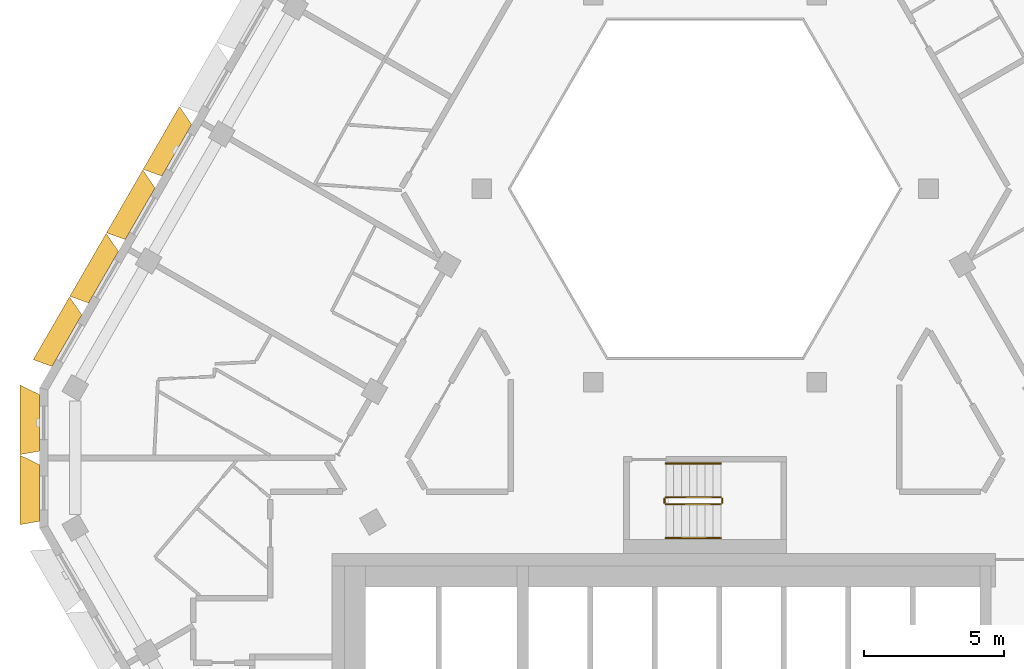
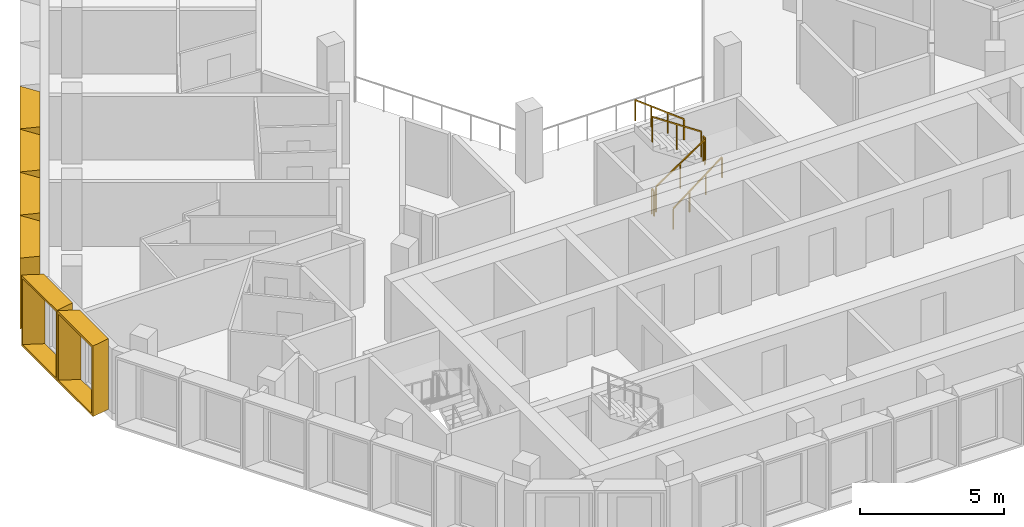
# One storey, part 13 of 16: 6 railings, 6 shading devices.
"""IFC4 building model written with IfcOpenShell, lengths in metres."""

from ifc_helpers import new_model, entity, si_unit, direction, frame, origin, origin_2d, place, context, subcontext, project, spatial, rectangle, extrude, source, transform, mapped, material, type_object, type_shapes, element, save


model = new_model("IFC4")

# Units and contexts
model_context = context("Model", 3, precision=1e-05, world=origin(), true_north=direction((0.0, 1.0)))
body_context = subcontext(model_context, "Body", "Model", "MODEL_VIEW")
ifc_project = project(units=[si_unit("LENGTHUNIT", "METRE"), si_unit("AREAUNIT", "SQUARE_METRE"), si_unit("VOLUMEUNIT", "CUBIC_METRE"), si_unit("PLANEANGLEUNIT", "RADIAN"), si_unit("MASSUNIT", "GRAM", prefix="KILO")], contexts=[model_context])

# Site, building, storey
site_placement = place(None, origin())
site = spatial("IfcSite", under=ifc_project, at=site_placement, CompositionType="ELEMENT")
building_placement = place(site_placement, origin())
building = spatial("IfcBuilding", under=site, at=building_placement, Name="Beryl Residences", CompositionType="ELEMENT")
storey_placement = place(building_placement, frame((0.0, 0.0, 214.800048828125)))
storey = spatial("IfcBuildingStorey", under=building, at=storey_placement, Name="L66", CompositionType="ELEMENT", Elevation=214.800048828125)

# Shading devices
ifc_material_1 = material(Name="Aluminium pale anodised", Category="aluminium")
shading_device_type_1 = type_object("IfcShadingDeviceType", Name="FR250-70B OUTER SKIN frame 700 mm deep, splay 26/10 deg, 2500 x 3000 mm cell", PredefinedType="USERDEFINED", material=ifc_material_1)
cartesian_point_1 = entity("IfcCartesianPoint", [-1.007568359375, 0.0])
cartesian_point_2 = entity("IfcCartesianPoint", [-0.91845703125, 0.10009765625])
cartesian_point_3 = entity("IfcCartesianPoint", [-1.348876953125, 0.0])
cartesian_point_4 = entity("IfcCartesianPoint", [-1.260009765625, 0.10009765625])
shared_shape_1 = source(origin(), body_context, "Body", "SweptSolid", [
    entity("IfcExtrudedAreaSolidTapered", entity("IfcArbitraryProfileDefWithVoids", "AREA", None, entity("IfcPolyline", [cartesian_point_1, entity("IfcCartesianPoint", [1.007568359375, 0.0]), entity("IfcCartesianPoint", [1.007568359375, 3.0]), entity("IfcCartesianPoint", [-1.007568359375, 3.0]), cartesian_point_1]), [entity("IfcPolyline", [cartesian_point_2, entity("IfcCartesianPoint", [0.92626953125, 0.10009765625]), entity("IfcCartesianPoint", [0.92626953125, 2.89990234375]), entity("IfcCartesianPoint", [-0.91845703125, 2.89990234375]), cartesian_point_2])]), entity("IfcAxis2Placement3D", entity("IfcCartesianPoint", [0.0, 0.0, 0.0]), entity("IfcDirection", [0.0, 1.0, 0.0]), entity("IfcDirection", [-1.0, 0.0, 0.0])), entity("IfcDirection", [0.0, 0.0, 1.0]), 0.699951171875, entity("IfcArbitraryProfileDefWithVoids", "AREA", None, entity("IfcPolyline", [cartesian_point_3, entity("IfcCartesianPoint", [1.130859375, 0.0]), entity("IfcCartesianPoint", [1.130859375, 3.0]), entity("IfcCartesianPoint", [-1.348876953125, 3.0]), cartesian_point_3]), [entity("IfcPolyline", [cartesian_point_4, entity("IfcCartesianPoint", [1.0498046875, 0.10009765625]), entity("IfcCartesianPoint", [1.0498046875, 2.89990234375]), entity("IfcCartesianPoint", [-1.260009765625, 2.89990234375]), cartesian_point_4])])),
])
type_shapes(shading_device_type_1, [shared_shape_1])
for number, where, z_axis, x_axis, name in (
    (1, (-23.72900390625, -0.35009765625, 0.0), (0.0, 0.0, 1.0), (0.0, 1.0, 0.0), "FR250-70B frame L66 NW-SW 1"),
    (2, (-23.72900390625, -2.85009765625, 0.0), (0.0, 0.0, 1.0), (0.0, 1.0, 0.0), "FR250-70B frame L66 NW-SW 2"),
):
    element("IfcShadingDevice", number, at=place(storey_placement, frame(where, z_axis=z_axis, x_axis=x_axis)), inside=storey, type_object=shading_device_type_1, Name=name, ObjectType="OUTER SKIN", PredefinedType="USERDEFINED", context=body_context, shape_type="MappedRepresentation", body=[
        mapped(shared_shape_1, transform((0.0, 0.0, 0.0))),
    ])
ifc_material_2 = material(Name="Aluminium pale anodised", Category="aluminium")
shading_device_type_2 = type_object("IfcShadingDeviceType", Name="FR261-70B OUTER SKIN frame 700 mm deep, splay 26/10 deg, 2610 x 3000 mm cell", PredefinedType="USERDEFINED", material=ifc_material_2)
cartesian_point_5 = entity("IfcCartesianPoint", [-1.0625, 0.0])
cartesian_point_6 = entity("IfcCartesianPoint", [-0.973388671875, 0.10009765625])
cartesian_point_7 = entity("IfcCartesianPoint", [-1.40380859375, 0.0])
cartesian_point_8 = entity("IfcCartesianPoint", [-1.31494140625, 0.10009765625])
shared_shape_2 = source(origin(), body_context, "Body", "SweptSolid", [
    entity("IfcExtrudedAreaSolidTapered", entity("IfcArbitraryProfileDefWithVoids", "AREA", None, entity("IfcPolyline", [cartesian_point_5, entity("IfcCartesianPoint", [1.0625, 0.0]), entity("IfcCartesianPoint", [1.0625, 3.0]), entity("IfcCartesianPoint", [-1.0625, 3.0]), cartesian_point_5]), [entity("IfcPolyline", [cartesian_point_6, entity("IfcCartesianPoint", [0.981201171875, 0.10009765625]), entity("IfcCartesianPoint", [0.981201171875, 2.89990234375]), entity("IfcCartesianPoint", [-0.973388671875, 2.89990234375]), cartesian_point_6])]), entity("IfcAxis2Placement3D", entity("IfcCartesianPoint", [0.0, 0.0, 0.0]), entity("IfcDirection", [0.0, 1.0, 0.0]), entity("IfcDirection", [-1.0, 0.0, 0.0])), entity("IfcDirection", [0.0, 0.0, 1.0]), 0.699951171875, entity("IfcArbitraryProfileDefWithVoids", "AREA", None, entity("IfcPolyline", [cartesian_point_7, entity("IfcCartesianPoint", [1.18603515625, 0.0]), entity("IfcCartesianPoint", [1.18603515625, 3.0]), entity("IfcCartesianPoint", [-1.40380859375, 3.0]), cartesian_point_7]), [entity("IfcPolyline", [cartesian_point_8, entity("IfcCartesianPoint", [1.104736328125, 0.10009765625]), entity("IfcCartesianPoint", [1.104736328125, 2.89990234375]), entity("IfcCartesianPoint", [-1.31494140625, 2.89990234375]), cartesian_point_8])])),
])
type_shapes(shading_device_type_2, [shared_shape_2])
for number, where, z_axis, x_axis, name in (
    (3, (-18.839111328125, 9.368896484375, 0.0), (0.0, 0.0, 1.0), (0.5, 0.866025403784, 0.0), "FR261-70B frame L66 NW 5"),
    (4, (-20.14501953125, 7.10595703125, 0.0), (0.0, 0.0, 1.0), (0.5, 0.866025403784, 0.0), "FR261-70B frame L66 NW 6"),
    (5, (-21.450927734375, 4.843994140625, 0.0), (0.0, 0.0, 1.0), (0.5, 0.866025403784, 0.0), "FR261-70B frame L66 NW 7"),
    (6, (-22.758056640625, 2.5810546875, 0.0), (0.0, 0.0, 1.0), (0.5, 0.866025403784, 0.0), "FR261-70B frame L66 NW 8"),
):
    element("IfcShadingDevice", number, at=place(storey_placement, frame(where, z_axis=z_axis, x_axis=x_axis)), inside=storey, type_object=shading_device_type_2, Name=name, ObjectType="OUTER SKIN", PredefinedType="USERDEFINED", context=body_context, shape_type="MappedRepresentation", body=[
        mapped(shared_shape_2, transform((0.0, 0.0, 0.0))),
    ])

# Railings
ifc_material_3 = material(Name="Stainless steel balustrade with glass infill", Category="steel")
railing_type_1 = type_object("IfcRailingType", Name="SG1 stair guard 1100 mm", PredefinedType="GUARDRAIL", material=ifc_material_3)
railing_1_placement = place(storey_placement, frame((-1.39990234375, -3.25, 0.1875)))
element("IfcRailing", 7, at=railing_1_placement, inside=storey, type_object=railing_type_1, Name="L66 ST-4 stair guard 1", PredefinedType="GUARDRAIL", context=body_context, shape_type="SweptSolid", body=[
    extrude(rectangle(XDim=0.048095703125, YDim=0.048095703125, at=origin_2d()), frame((0.0, 0.0, 1.076171875), z_axis=(0.830902050051, 0.0, 0.556418712142), x_axis=(0.0, 1.0, 0.0)), (0.0, 0.0, 1.0), 2.35888671875),
    extrude(rectangle(XDim=0.0419921875, YDim=0.0419921875, at=origin_2d()), origin(), (0.0, 0.0, 1.0), 1.052001953125),
    extrude(rectangle(XDim=0.0419921875, YDim=0.0419921875, at=origin_2d()), frame((0.97998046875, 0.0, 0.65625)), (0.0, 0.0, 1.0), 1.052001953125),
    extrude(rectangle(XDim=0.0419921875, YDim=0.0419921875, at=origin_2d()), frame((1.9599609375, 0.0, 1.3125)), (0.0, 0.0, 1.0), 1.052001953125),
])
railing_2_placement = place(storey_placement, frame((0.610107421875, -3.199951171875, 1.5)))
element("IfcRailing", 8, at=railing_2_placement, inside=storey, type_object=railing_type_1, Name="L66 ST-4 stair guard 2", PredefinedType="GUARDRAIL", context=body_context, shape_type="SweptSolid", body=[
    extrude(rectangle(XDim=0.048095703125, YDim=0.048095703125, at=origin_2d()), frame((0.0, 0.0, 1.076171875), z_axis=(0.0, 1.0, 0.0), x_axis=(-1.0, 0.0, 0.0)), (0.0, 0.0, 1.0), 0.14990234375),
    extrude(rectangle(XDim=0.0419921875, YDim=0.0419921875, at=origin_2d()), origin(), (0.0, 0.0, 1.0), 1.052001953125),
    extrude(rectangle(XDim=0.0419921875, YDim=0.0419921875, at=origin_2d()), frame((0.0, 0.14990234375, 0.0)), (0.0, 0.0, 1.0), 1.052001953125),
])
railing_3_placement = place(storey_placement, frame((0.56005859375, -3.0, 1.6875)))
element("IfcRailing", 9, at=railing_3_placement, inside=storey, type_object=railing_type_1, Name="L66 ST-4 stair guard 3", PredefinedType="GUARDRAIL", context=body_context, shape_type="SweptSolid", body=[
    extrude(rectangle(XDim=0.048095703125, YDim=0.048095703125, at=origin_2d()), frame((0.0, 0.0, 1.076171875), z_axis=(-0.830902050051, 0.0, 0.556418712142), x_axis=(0.0, -1.0, 0.0)), (0.0, 0.0, 1.0), 2.35888671875),
    extrude(rectangle(XDim=0.0419921875, YDim=0.0419921875, at=origin_2d()), origin(), (0.0, 0.0, 1.0), 1.052001953125),
    extrude(rectangle(XDim=0.0419921875, YDim=0.0419921875, at=origin_2d()), frame((-0.97998046875, 0.0, 0.65625)), (0.0, 0.0, 1.0), 1.052001953125),
    extrude(rectangle(XDim=0.0419921875, YDim=0.0419921875, at=origin_2d()), frame((-1.9599609375, 0.0, 1.3125)), (0.0, 0.0, 1.0), 1.052001953125),
])
railing_4_placement = place(storey_placement, frame((-1.449951171875, -3.199951171875, 0.0)))
element("IfcRailing", 10, at=railing_4_placement, inside=storey, type_object=railing_type_1, Name="L66 ST-4 stair guard 4", PredefinedType="GUARDRAIL", context=body_context, shape_type="SweptSolid", body=[
    extrude(rectangle(XDim=0.048095703125, YDim=0.048095703125, at=origin_2d()), frame((0.0, 0.0, 1.076171875), z_axis=(0.0, 1.0, 0.0), x_axis=(-1.0, 0.0, 0.0)), (0.0, 0.0, 1.0), 0.14990234375),
    extrude(rectangle(XDim=0.0419921875, YDim=0.0419921875, at=origin_2d()), origin(), (0.0, 0.0, 1.0), 1.052001953125),
    extrude(rectangle(XDim=0.0419921875, YDim=0.0419921875, at=origin_2d()), frame((0.0, 0.14990234375, 0.0)), (0.0, 0.0, 1.0), 1.052001953125),
])
ifc_material_4 = material(Name="Stainless steel handrail", Category="steel")
railing_type_2 = type_object("IfcRailingType", Name="SRL1 stair handrail 900 mm", PredefinedType="HANDRAIL", material=ifc_material_4)
railing_5_placement = place(storey_placement, frame((-1.39990234375, -4.449951171875, 0.1875)))
element("IfcRailing", 11, at=railing_5_placement, inside=storey, type_object=railing_type_2, Name="L66 ST-4 stair handrail 1", PredefinedType="HANDRAIL", context=body_context, shape_type="SweptSolid", body=[
    extrude(rectangle(XDim=0.048095703125, YDim=0.048095703125, at=origin_2d()), frame((0.0, 0.0, 0.8759765625), z_axis=(0.794121922505, 0.0, 0.607758481798), x_axis=(0.0, 1.0, 0.0)), (0.0, 0.0, 1.0), 2.468017578125),
    extrude(rectangle(XDim=0.0419921875, YDim=0.0419921875, at=origin_2d()), origin(), (0.0, 0.0, 1.0), 0.851806640625),
    extrude(rectangle(XDim=0.0419921875, YDim=0.0419921875, at=origin_2d()), frame((0.6533203125, 0.0, 0.5)), (0.0, 0.0, 1.0), 0.851806640625),
    extrude(rectangle(XDim=0.0419921875, YDim=0.0419921875, at=origin_2d()), frame((1.306640625, 0.0, 1.0)), (0.0, 0.0, 1.0), 0.851806640625),
    extrude(rectangle(XDim=0.0419921875, YDim=0.0419921875, at=origin_2d()), frame((1.9599609375, 0.0, 1.5)), (0.0, 0.0, 1.0), 0.851806640625),
])
railing_6_placement = place(storey_placement, frame((0.56005859375, -1.800048828125, 1.6875)))
element("IfcRailing", 12, at=railing_6_placement, inside=storey, type_object=railing_type_2, Name="L66 ST-4 stair handrail 2", PredefinedType="HANDRAIL", context=body_context, shape_type="SweptSolid", body=[
    extrude(rectangle(XDim=0.048095703125, YDim=0.048095703125, at=origin_2d()), frame((0.0, 0.0, 0.8759765625), z_axis=(-0.794121922505, 0.0, 0.607758481798), x_axis=(0.0, -1.0, 0.0)), (0.0, 0.0, 1.0), 2.468017578125),
    extrude(rectangle(XDim=0.0419921875, YDim=0.0419921875, at=origin_2d()), origin(), (0.0, 0.0, 1.0), 0.851806640625),
    extrude(rectangle(XDim=0.0419921875, YDim=0.0419921875, at=origin_2d()), frame((-0.6533203125, 0.0, 0.5)), (0.0, 0.0, 1.0), 0.851806640625),
    extrude(rectangle(XDim=0.0419921875, YDim=0.0419921875, at=origin_2d()), frame((-1.306640625, 0.0, 1.0)), (0.0, 0.0, 1.0), 0.851806640625),
    extrude(rectangle(XDim=0.0419921875, YDim=0.0419921875, at=origin_2d()), frame((-1.9599609375, 0.0, 1.5)), (0.0, 0.0, 1.0), 0.851806640625),
])

save(model, "model.ifc")
